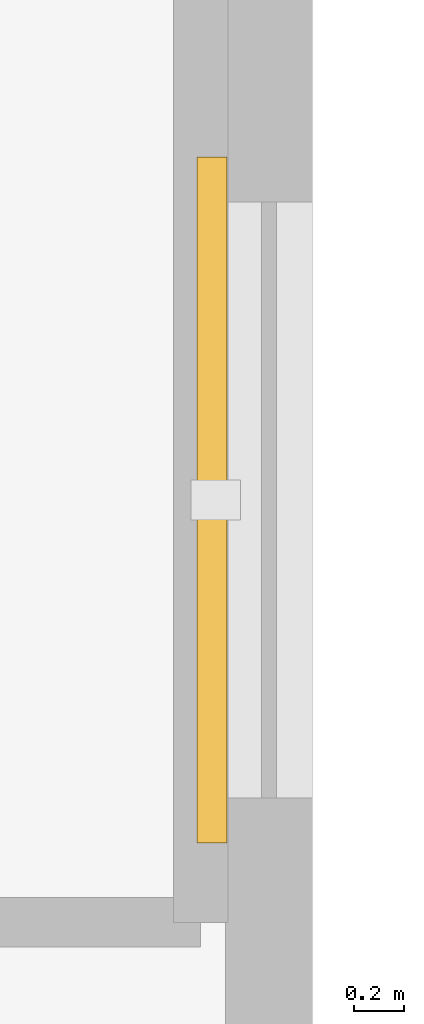
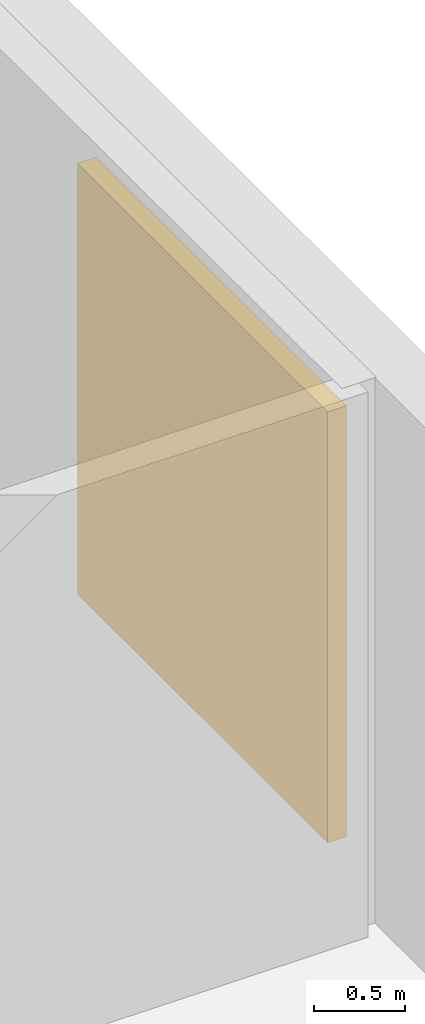
# One storey, part 17 of 17: 1 shading device.
"""IFC4 building model written with IfcOpenShell, lengths in metres."""

from ifc_helpers import new_model, si_unit, direction, frame, origin, origin_2d, place, context, subcontext, project, spatial, rectangle, extrude, material, layer, layer_set, type_object, element, save


model = new_model("IFC4")

# Units and contexts
model_context = context("Model", 3, precision=1e-05, world=origin(), true_north=direction((0.0, 1.0)))
body_context = subcontext(model_context, "Body", "Model", "MODEL_VIEW")
ifc_project = project(units=[si_unit("LENGTHUNIT", "METRE"), si_unit("AREAUNIT", "SQUARE_METRE"), si_unit("VOLUMEUNIT", "CUBIC_METRE"), si_unit("PLANEANGLEUNIT", "RADIAN"), si_unit("MASSUNIT", "GRAM", prefix="KILO")], contexts=[model_context])

# Site, building, storey
site_placement = place(None, origin())
site = spatial("IfcSite", under=ifc_project, at=site_placement, CompositionType="ELEMENT")
building_placement = place(site_placement, origin())
building = spatial("IfcBuilding", under=site, at=building_placement, Name="Koriwani Terraces Tower", CompositionType="ELEMENT")
storey_placement = place(building_placement, frame((0.0, 0.0, 316.39990234375)))
storey = spatial("IfcBuildingStorey", under=building, at=storey_placement, Name="L78", CompositionType="ELEMENT", Elevation=316.39990234375)

# Shading device
ifc_material = material(Name="Extruded Terracotta Clay", Category="masonry")
ifc_layer = layer(ifc_material, 0.1201171875, Name="Extruded Terracotta Clay")
ifc_layer_set = layer_set([ifc_layer], Name="Extruded Terracotta Clay")
shading_device_type = type_object("IfcShadingDeviceType", Name="TERRACOTTA_BAGUETTE_SCREEN_2800", PredefinedType="USERDEFINED", material=ifc_layer_set)
shading_device_placement = place(storey_placement, frame((33.195068359375, 63.0, 0.38525390625), z_axis=(0.0, 0.0, 1.0), x_axis=(0.0, -1.0, 0.0)))
element("IfcShadingDevice", 1, at=shading_device_placement, inside=storey, type_object=shading_device_type, Name="L78 Extruded Terracotta Baguette Screen (NW_IN-11)", ObjectType="BAGUETTE", PredefinedType="USERDEFINED", context=body_context, shape_type="SweptSolid", body=[
    extrude(rectangle(XDim=2.760009765625, YDim=0.1201171875, at=origin_2d()), origin(), (0.0, 0.0, 1.0), 2.89990234375),
])

save(model, "model.ifc")
